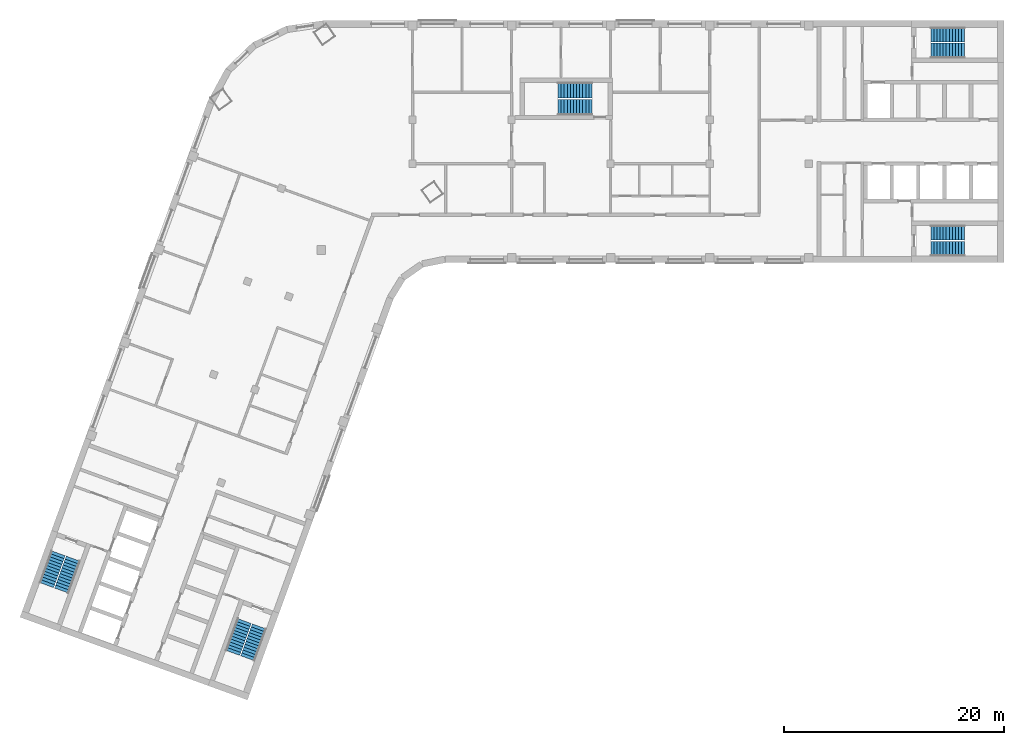
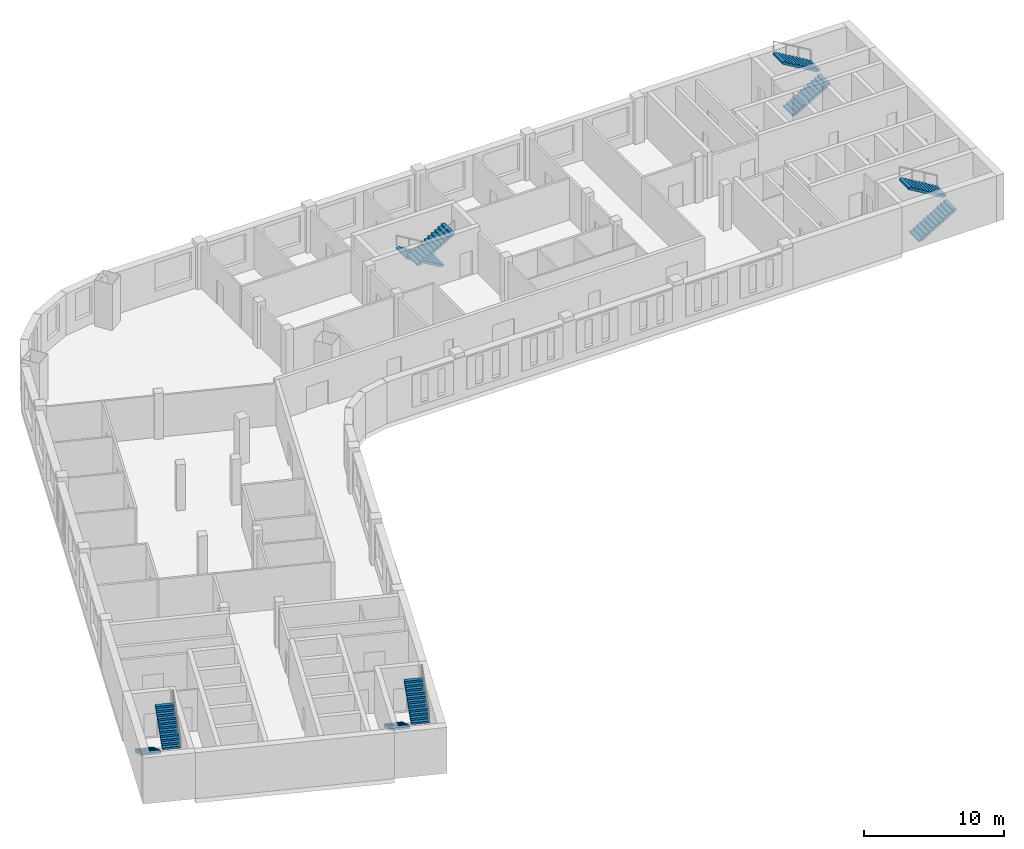
# One storey, part 7 of 8: 10 stair flights, 5 elements without a shape of their own.
"""IFC4 building model written with IfcOpenShell, lengths in metres."""

from ifc_helpers import new_model, si_unit, direction, frame, origin, place, context, subcontext, project, spatial, polyline, outline, extrude, material, type_object, element, aggregate, save


model = new_model("IFC4")

# Units and contexts
model_context = context("Model", 3, precision=1e-05, world=origin(), true_north=direction((0.0, 1.0)))
body_context = subcontext(model_context, "Body", "Model", "MODEL_VIEW")
ifc_project = project(units=[si_unit("LENGTHUNIT", "METRE"), si_unit("AREAUNIT", "SQUARE_METRE"), si_unit("VOLUMEUNIT", "CUBIC_METRE"), si_unit("PLANEANGLEUNIT", "RADIAN"), si_unit("MASSUNIT", "GRAM", prefix="KILO")], contexts=[model_context])

# Site, building, storey
site_placement = place(None, origin())
site = spatial("IfcSite", under=ifc_project, at=site_placement, CompositionType="ELEMENT")
building_placement = place(site_placement, origin())
building = spatial("IfcBuilding", under=site, at=building_placement, Name="Skarvind Civic Tower", CompositionType="ELEMENT")
storey_placement = place(building_placement, frame((0.0, 0.0, 146.5)))
storey = spatial("IfcBuildingStorey", under=building, at=storey_placement, Name="L34", CompositionType="ELEMENT", Elevation=146.5)

# Stair, stair flights
ifc_material = material(Name="Concrete C40/50", Category="concrete")
stair_type_1 = type_object("IfcStairType", Name="Exit stair 1450, half-turn, concrete", PredefinedType="HALF_TURN_STAIR", material=ifc_material)
stair_1_placement = place(storey_placement, origin())
stair_1 = element("IfcStair", 1, at=stair_1_placement, inside=storey, type_object=stair_type_1, Name="Exit stair CM", PredefinedType="HALF_TURN_STAIR")
stair_flight_type_1 = type_object("IfcStairFlightType", Name="Stair flight 1450, concrete", PredefinedType="STRAIGHT", material=ifc_material)
stair_flight_1_placement = place(storey_placement, frame((70.550048828125, 132.675048828125, 0.0), z_axis=(0.0, 0.0, 1.0), x_axis=(-1.0, 0.0, 0.0)))
stair_flight_1 = element("IfcStairFlight", 2, at=stair_flight_1_placement, type_object=stair_flight_type_1, Name="ST-CM flight 1", NumberOfRisers=12, NumberOfTreads=11, PredefinedType="STRAIGHT", RiserHeight=0.166666667, TreadLength=0.28, context=body_context, shape_type="SweptSolid", body=[
    extrude(outline(polyline([(0.0, 0.0), (0.0, 0.166748046875), (0.280029296875, 0.166748046875), (0.280029296875, 0.333251953125), (0.56005859375, 0.333251953125), (0.56005859375, 0.5), (0.840087890625, 0.5), (0.840087890625, 0.666748046875), (1.1201171875, 0.666748046875), (1.1201171875, 0.833251953125), (1.39990234375, 0.833251953125), (1.39990234375, 1.0), (1.679931640625, 1.0), (1.679931640625, 1.166748046875), (1.9599609375, 1.166748046875), (1.9599609375, 1.333251953125), (2.239990234375, 1.333251953125), (2.239990234375, 1.5), (2.52001953125, 1.5), (2.52001953125, 1.666748046875), (2.800048828125, 1.666748046875), (2.800048828125, 1.833251953125), (3.080078125, 1.833251953125), (3.080078125, 2.0), (3.080078125, 1.658935546875), (0.29296875, 0.0), (0.0, 0.0)])), frame((0.0, 0.72509765625, 0.0), z_axis=(0.0, -1.0, 0.0), x_axis=(1.0, 0.0, 0.0)), (0.0, 0.0, 1.0), 1.449951171875),
])
stair_flight_2_placement = place(storey_placement, frame((67.469970703125, 131.125, 2.0), z_axis=(0.0, 0.0, 1.0), x_axis=(1.0, 0.0, 0.0)))
stair_flight_2 = element("IfcStairFlight", 3, at=stair_flight_2_placement, type_object=stair_flight_type_1, Name="ST-CM flight 2", NumberOfRisers=12, NumberOfTreads=11, PredefinedType="STRAIGHT", RiserHeight=0.166666667, TreadLength=0.28, context=body_context, shape_type="SweptSolid", body=[
    extrude(outline(polyline([(0.0, 0.0), (0.0, 0.166748046875), (0.280029296875, 0.166748046875), (0.280029296875, 0.333251953125), (0.56005859375, 0.333251953125), (0.56005859375, 0.5), (0.840087890625, 0.5), (0.840087890625, 0.666748046875), (1.1201171875, 0.666748046875), (1.1201171875, 0.833251953125), (1.39990234375, 0.833251953125), (1.39990234375, 1.0), (1.679931640625, 1.0), (1.679931640625, 1.166748046875), (1.9599609375, 1.166748046875), (1.9599609375, 1.333251953125), (2.239990234375, 1.333251953125), (2.239990234375, 1.5), (2.52001953125, 1.5), (2.52001953125, 1.666748046875), (2.800048828125, 1.666748046875), (2.800048828125, 1.833251953125), (3.080078125, 1.833251953125), (3.080078125, 2.0), (3.080078125, 1.658935546875), (0.29296875, 0.0), (0.0, 0.0)])), frame((0.0, 0.72509765625, 0.0), z_axis=(0.0, -1.0, 0.0), x_axis=(1.0, 0.0, 0.0)), (0.0, 0.0, 1.0), 1.449951171875),
])
aggregate(stair_1, [stair_flight_1, stair_flight_2])

stair_type_2 = type_object("IfcStairType", Name="Exit stair, half-turn, concrete", PredefinedType="HALF_TURN_STAIR", material=ifc_material)
stair_2_placement = place(storey_placement, origin())
stair_2 = element("IfcStair", 4, at=stair_2_placement, inside=storey, type_object=stair_type_2, Name="Exit stair C1S", PredefinedType="HALF_TURN_STAIR")
stair_flight_type_2 = type_object("IfcStairFlightType", Name="Stair flight, concrete", PredefinedType="STRAIGHT", material=ifc_material)
stair_flight_3_placement = place(storey_placement, frame((101.35009765625, 136.27490234375, 0.0), z_axis=(0.0, 0.0, 1.0), x_axis=(1.0, 0.0, 0.0)))
stair_flight_3 = element("IfcStairFlight", 5, at=stair_flight_3_placement, type_object=stair_flight_type_2, Name="ST-C1S flight 1", NumberOfRisers=12, NumberOfTreads=11, PredefinedType="STRAIGHT", RiserHeight=0.166666667, TreadLength=0.28, context=body_context, shape_type="SweptSolid", body=[
    extrude(outline(polyline([(0.0, 0.0), (0.0, 0.166748046875), (0.280029296875, 0.166748046875), (0.280029296875, 0.333251953125), (0.56005859375, 0.333251953125), (0.56005859375, 0.5), (0.840087890625, 0.5), (0.840087890625, 0.666748046875), (1.1201171875, 0.666748046875), (1.1201171875, 0.833251953125), (1.39990234375, 0.833251953125), (1.39990234375, 1.0), (1.679931640625, 1.0), (1.679931640625, 1.166748046875), (1.9599609375, 1.166748046875), (1.9599609375, 1.333251953125), (2.239990234375, 1.333251953125), (2.239990234375, 1.5), (2.52001953125, 1.5), (2.52001953125, 1.666748046875), (2.800048828125, 1.666748046875), (2.800048828125, 1.833251953125), (3.080078125, 1.833251953125), (3.080078125, 2.0), (3.080078125, 1.658935546875), (0.29296875, 0.0), (0.0, 0.0)])), frame((0.0, 0.675048828125, 0.0), z_axis=(0.0, -1.0, 0.0), x_axis=(1.0, 0.0, 0.0)), (0.0, 0.0, 1.0), 1.35009765625),
])
stair_flight_4_placement = place(storey_placement, frame((104.429931640625, 137.72509765625, 2.0), z_axis=(0.0, 0.0, 1.0), x_axis=(-1.0, 0.0, 0.0)))
stair_flight_4 = element("IfcStairFlight", 6, at=stair_flight_4_placement, type_object=stair_flight_type_2, Name="ST-C1S flight 2", NumberOfRisers=12, NumberOfTreads=11, PredefinedType="STRAIGHT", RiserHeight=0.166666667, TreadLength=0.28, context=body_context, shape_type="SweptSolid", body=[
    extrude(outline(polyline([(0.0, 0.0), (0.0, 0.166748046875), (0.280029296875, 0.166748046875), (0.280029296875, 0.333251953125), (0.56005859375, 0.333251953125), (0.56005859375, 0.5), (0.840087890625, 0.5), (0.840087890625, 0.666748046875), (1.1201171875, 0.666748046875), (1.1201171875, 0.833251953125), (1.39990234375, 0.833251953125), (1.39990234375, 1.0), (1.679931640625, 1.0), (1.679931640625, 1.166748046875), (1.9599609375, 1.166748046875), (1.9599609375, 1.333251953125), (2.239990234375, 1.333251953125), (2.239990234375, 1.5), (2.52001953125, 1.5), (2.52001953125, 1.666748046875), (2.800048828125, 1.666748046875), (2.800048828125, 1.833251953125), (3.080078125, 1.833251953125), (3.080078125, 2.0), (3.080078125, 1.658935546875), (0.29296875, 0.0), (0.0, 0.0)])), frame((0.0, 0.675048828125, 0.0), z_axis=(0.0, -1.0, 0.0), x_axis=(1.0, 0.0, 0.0)), (0.0, 0.0, 1.0), 1.35009765625),
])
aggregate(stair_2, [stair_flight_3, stair_flight_4])

stair_3_placement = place(storey_placement, origin())
stair_3 = element("IfcStair", 7, at=stair_3_placement, inside=storey, type_object=stair_type_2, Name="Exit stair C1N", PredefinedType="HALF_TURN_STAIR")
stair_flight_5_placement = place(storey_placement, frame((101.35009765625, 118.27490234375, 0.0), z_axis=(0.0, 0.0, 1.0), x_axis=(1.0, 0.0, 0.0)))
stair_flight_5 = element("IfcStairFlight", 8, at=stair_flight_5_placement, type_object=stair_flight_type_2, Name="ST-C1N flight 1", NumberOfRisers=12, NumberOfTreads=11, PredefinedType="STRAIGHT", RiserHeight=0.166666667, TreadLength=0.28, context=body_context, shape_type="SweptSolid", body=[
    extrude(outline(polyline([(0.0, 0.0), (0.0, 0.166748046875), (0.280029296875, 0.166748046875), (0.280029296875, 0.333251953125), (0.56005859375, 0.333251953125), (0.56005859375, 0.5), (0.840087890625, 0.5), (0.840087890625, 0.666748046875), (1.1201171875, 0.666748046875), (1.1201171875, 0.833251953125), (1.39990234375, 0.833251953125), (1.39990234375, 1.0), (1.679931640625, 1.0), (1.679931640625, 1.166748046875), (1.9599609375, 1.166748046875), (1.9599609375, 1.333251953125), (2.239990234375, 1.333251953125), (2.239990234375, 1.5), (2.52001953125, 1.5), (2.52001953125, 1.666748046875), (2.800048828125, 1.666748046875), (2.800048828125, 1.833251953125), (3.080078125, 1.833251953125), (3.080078125, 2.0), (3.080078125, 1.658935546875), (0.29296875, 0.0), (0.0, 0.0)])), frame((0.0, 0.675048828125, 0.0), z_axis=(0.0, -1.0, 0.0), x_axis=(1.0, 0.0, 0.0)), (0.0, 0.0, 1.0), 1.35009765625),
])
stair_flight_6_placement = place(storey_placement, frame((104.429931640625, 119.72509765625, 2.0), z_axis=(0.0, 0.0, 1.0), x_axis=(-1.0, 0.0, 0.0)))
stair_flight_6 = element("IfcStairFlight", 9, at=stair_flight_6_placement, type_object=stair_flight_type_2, Name="ST-C1N flight 2", NumberOfRisers=12, NumberOfTreads=11, PredefinedType="STRAIGHT", RiserHeight=0.166666667, TreadLength=0.28, context=body_context, shape_type="SweptSolid", body=[
    extrude(outline(polyline([(0.0, 0.0), (0.0, 0.166748046875), (0.280029296875, 0.166748046875), (0.280029296875, 0.333251953125), (0.56005859375, 0.333251953125), (0.56005859375, 0.5), (0.840087890625, 0.5), (0.840087890625, 0.666748046875), (1.1201171875, 0.666748046875), (1.1201171875, 0.833251953125), (1.39990234375, 0.833251953125), (1.39990234375, 1.0), (1.679931640625, 1.0), (1.679931640625, 1.166748046875), (1.9599609375, 1.166748046875), (1.9599609375, 1.333251953125), (2.239990234375, 1.333251953125), (2.239990234375, 1.5), (2.52001953125, 1.5), (2.52001953125, 1.666748046875), (2.800048828125, 1.666748046875), (2.800048828125, 1.833251953125), (3.080078125, 1.833251953125), (3.080078125, 2.0), (3.080078125, 1.658935546875), (0.29296875, 0.0), (0.0, 0.0)])), frame((0.0, 0.675048828125, 0.0), z_axis=(0.0, -1.0, 0.0), x_axis=(1.0, 0.0, 0.0)), (0.0, 0.0, 1.0), 1.35009765625),
])
aggregate(stair_3, [stair_flight_5, stair_flight_6])

stair_4_placement = place(storey_placement, origin())
stair_4 = element("IfcStair", 10, at=stair_4_placement, inside=storey, type_object=stair_type_2, Name="Exit stair C2S", PredefinedType="HALF_TURN_STAIR")
stair_flight_7_placement = place(storey_placement, frame((38.949462890625, 84.43408203125, 0.0), z_axis=(0.0, 0.0, 1.0), x_axis=(-0.342020143326, -0.939692620786, 0.0)))
stair_flight_7 = element("IfcStairFlight", 11, at=stair_flight_7_placement, type_object=stair_flight_type_2, Name="ST-C2S flight 1", NumberOfRisers=12, NumberOfTreads=11, PredefinedType="STRAIGHT", RiserHeight=0.166666667, TreadLength=0.28, context=body_context, shape_type="SweptSolid", body=[
    extrude(outline(polyline([(0.0, 0.0), (0.0, 0.166748046875), (0.280029296875, 0.166748046875), (0.280029296875, 0.333251953125), (0.56005859375, 0.333251953125), (0.56005859375, 0.5), (0.840087890625, 0.5), (0.840087890625, 0.666748046875), (1.1201171875, 0.666748046875), (1.1201171875, 0.833251953125), (1.39990234375, 0.833251953125), (1.39990234375, 1.0), (1.679931640625, 1.0), (1.679931640625, 1.166748046875), (1.9599609375, 1.166748046875), (1.9599609375, 1.333251953125), (2.239990234375, 1.333251953125), (2.239990234375, 1.5), (2.52001953125, 1.5), (2.52001953125, 1.666748046875), (2.800048828125, 1.666748046875), (2.800048828125, 1.833251953125), (3.080078125, 1.833251953125), (3.080078125, 2.0), (3.080078125, 1.658935546875), (0.29296875, 0.0), (0.0, 0.0)])), frame((0.0, 0.675048828125, 0.0), z_axis=(0.0, -1.0, 0.0), x_axis=(1.0, 0.0, 0.0)), (0.0, 0.0, 1.0), 1.35009765625),
])
stair_flight_8_placement = place(storey_placement, frame((39.258544921875, 81.0439453125, 2.0), z_axis=(0.0, 0.0, 1.0), x_axis=(0.342020143326, 0.939692620786, 0.0)))
stair_flight_8 = element("IfcStairFlight", 12, at=stair_flight_8_placement, type_object=stair_flight_type_2, Name="ST-C2S flight 2", NumberOfRisers=12, NumberOfTreads=11, PredefinedType="STRAIGHT", RiserHeight=0.166666667, TreadLength=0.28, context=body_context, shape_type="SweptSolid", body=[
    extrude(outline(polyline([(0.0, 0.0), (0.0, 0.166748046875), (0.280029296875, 0.166748046875), (0.280029296875, 0.333251953125), (0.56005859375, 0.333251953125), (0.56005859375, 0.5), (0.840087890625, 0.5), (0.840087890625, 0.666748046875), (1.1201171875, 0.666748046875), (1.1201171875, 0.833251953125), (1.39990234375, 0.833251953125), (1.39990234375, 1.0), (1.679931640625, 1.0), (1.679931640625, 1.166748046875), (1.9599609375, 1.166748046875), (1.9599609375, 1.333251953125), (2.239990234375, 1.333251953125), (2.239990234375, 1.5), (2.52001953125, 1.5), (2.52001953125, 1.666748046875), (2.800048828125, 1.666748046875), (2.800048828125, 1.833251953125), (3.080078125, 1.833251953125), (3.080078125, 2.0), (3.080078125, 1.658935546875), (0.29296875, 0.0), (0.0, 0.0)])), frame((0.0, 0.675048828125, 0.0), z_axis=(0.0, -1.0, 0.0), x_axis=(1.0, 0.0, 0.0)), (0.0, 0.0, 1.0), 1.35009765625),
])
aggregate(stair_4, [stair_flight_7, stair_flight_8])

stair_5_placement = place(storey_placement, origin())
stair_5 = element("IfcStair", 13, at=stair_5_placement, inside=storey, type_object=stair_type_2, Name="Exit stair C2N", PredefinedType="HALF_TURN_STAIR")
stair_flight_9_placement = place(storey_placement, frame((22.034912109375, 90.590576171875, 0.0), z_axis=(0.0, 0.0, 1.0), x_axis=(-0.342020143326, -0.939692620786, 0.0)))
stair_flight_9 = element("IfcStairFlight", 14, at=stair_flight_9_placement, type_object=stair_flight_type_2, Name="ST-C2N flight 1", NumberOfRisers=12, NumberOfTreads=11, PredefinedType="STRAIGHT", RiserHeight=0.166666667, TreadLength=0.28, context=body_context, shape_type="SweptSolid", body=[
    extrude(outline(polyline([(0.0, 0.0), (0.0, 0.166748046875), (0.280029296875, 0.166748046875), (0.280029296875, 0.333251953125), (0.56005859375, 0.333251953125), (0.56005859375, 0.5), (0.840087890625, 0.5), (0.840087890625, 0.666748046875), (1.1201171875, 0.666748046875), (1.1201171875, 0.833251953125), (1.39990234375, 0.833251953125), (1.39990234375, 1.0), (1.679931640625, 1.0), (1.679931640625, 1.166748046875), (1.9599609375, 1.166748046875), (1.9599609375, 1.333251953125), (2.239990234375, 1.333251953125), (2.239990234375, 1.5), (2.52001953125, 1.5), (2.52001953125, 1.666748046875), (2.800048828125, 1.666748046875), (2.800048828125, 1.833251953125), (3.080078125, 1.833251953125), (3.080078125, 2.0), (3.080078125, 1.658935546875), (0.29296875, 0.0), (0.0, 0.0)])), frame((0.0, 0.675048828125, 0.0), z_axis=(0.0, -1.0, 0.0), x_axis=(1.0, 0.0, 0.0)), (0.0, 0.0, 1.0), 1.35009765625),
])
stair_flight_10_placement = place(storey_placement, frame((22.343994140625, 87.2001953125, 2.0), z_axis=(0.0, 0.0, 1.0), x_axis=(0.342020143326, 0.939692620786, 0.0)))
stair_flight_10 = element("IfcStairFlight", 15, at=stair_flight_10_placement, type_object=stair_flight_type_2, Name="ST-C2N flight 2", NumberOfRisers=12, NumberOfTreads=11, PredefinedType="STRAIGHT", RiserHeight=0.166666667, TreadLength=0.28, context=body_context, shape_type="SweptSolid", body=[
    extrude(outline(polyline([(0.0, 0.0), (0.0, 0.166748046875), (0.280029296875, 0.166748046875), (0.280029296875, 0.333251953125), (0.56005859375, 0.333251953125), (0.56005859375, 0.5), (0.840087890625, 0.5), (0.840087890625, 0.666748046875), (1.1201171875, 0.666748046875), (1.1201171875, 0.833251953125), (1.39990234375, 0.833251953125), (1.39990234375, 1.0), (1.679931640625, 1.0), (1.679931640625, 1.166748046875), (1.9599609375, 1.166748046875), (1.9599609375, 1.333251953125), (2.239990234375, 1.333251953125), (2.239990234375, 1.5), (2.52001953125, 1.5), (2.52001953125, 1.666748046875), (2.800048828125, 1.666748046875), (2.800048828125, 1.833251953125), (3.080078125, 1.833251953125), (3.080078125, 2.0), (3.080078125, 1.658935546875), (0.29296875, 0.0), (0.0, 0.0)])), frame((0.0, 0.675048828125, 0.0), z_axis=(0.0, -1.0, 0.0), x_axis=(1.0, 0.0, 0.0)), (0.0, 0.0, 1.0), 1.35009765625),
])
aggregate(stair_5, [stair_flight_9, stair_flight_10])

save(model, "model.ifc")
